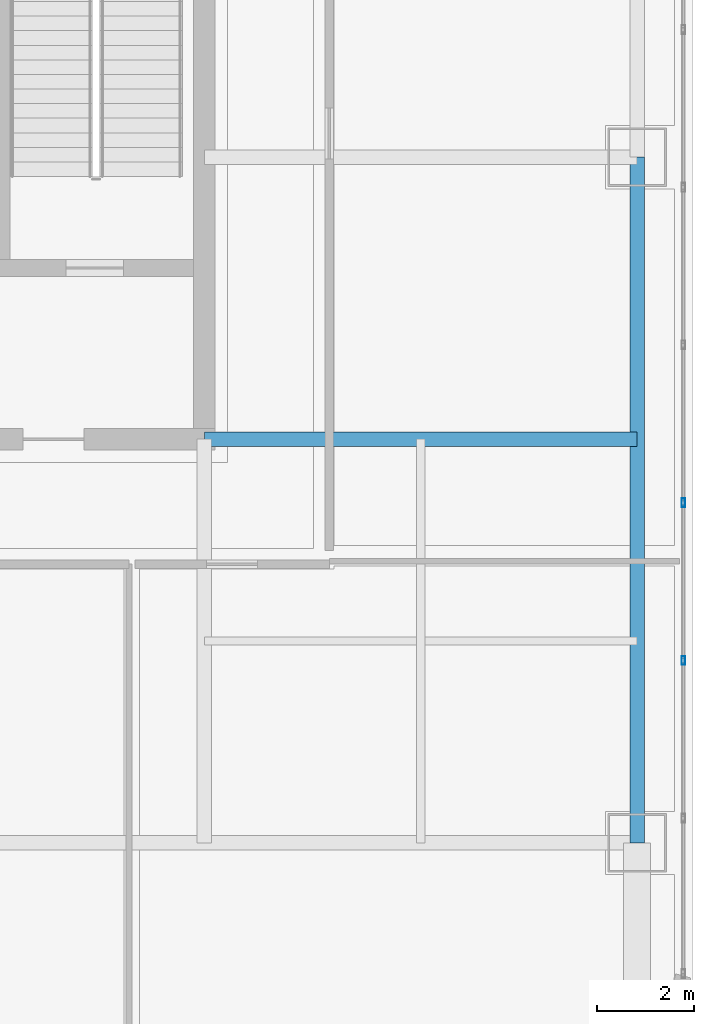
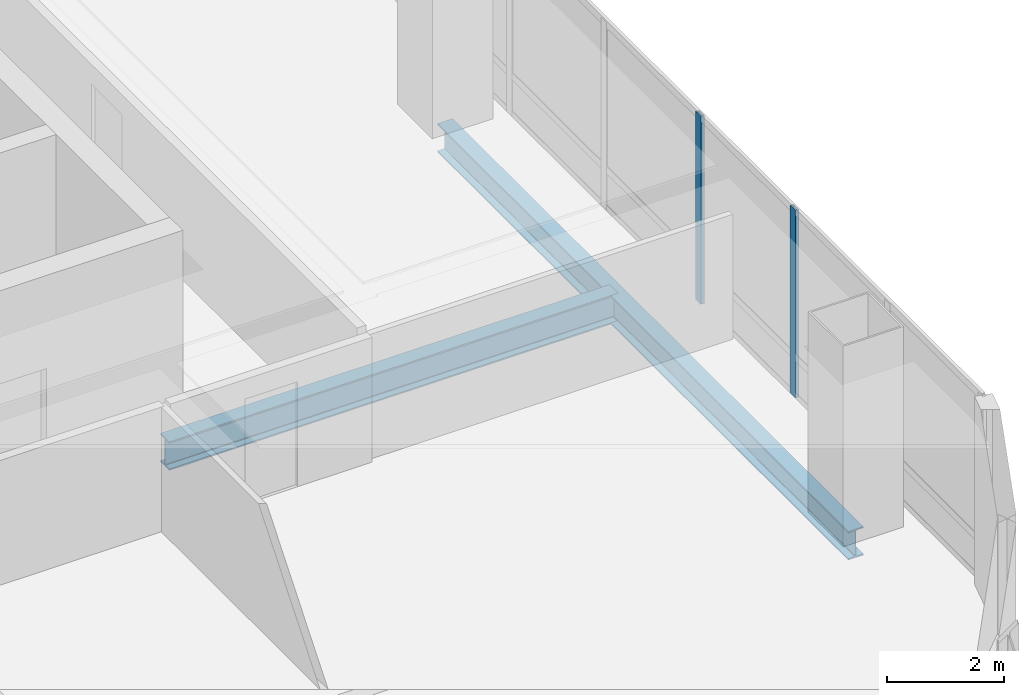
# One storey, part 19 of 46: 2 beams, 2 members, 1 element without a shape of its own.
"""IFC4 building model written with IfcOpenShell, lengths in metres."""

from ifc_helpers import new_model, si_unit, direction, frame, origin, origin_2d, place, context, subcontext, project, spatial, hollow_rectangle, i_section, extrude, material, material_profile, profile_set, type_object, element, aggregate, save


model = new_model("IFC4")

# Units and contexts
model_context = context("Model", 3, precision=1e-05, world=origin(), true_north=direction((0.0, 1.0)))
body_context = subcontext(model_context, "Body", "Model", "MODEL_VIEW")
ifc_project = project(units=[si_unit("LENGTHUNIT", "METRE"), si_unit("AREAUNIT", "SQUARE_METRE"), si_unit("VOLUMEUNIT", "CUBIC_METRE"), si_unit("PLANEANGLEUNIT", "RADIAN"), si_unit("MASSUNIT", "GRAM", prefix="KILO")], contexts=[model_context])

# Site, building, storey
site_placement = place(None, origin())
site = spatial("IfcSite", under=ifc_project, at=site_placement, CompositionType="ELEMENT")
building_placement = place(site_placement, origin())
building = spatial("IfcBuilding", under=site, at=building_placement, Name="Punatoya Terracotta Tower", CompositionType="ELEMENT")
storey_placement = place(building_placement, frame((0.0, 0.0, 330.0)))
storey = spatial("IfcBuildingStorey", under=building, at=storey_placement, Name="L78", CompositionType="ELEMENT", Elevation=330.0)

# Beams
ifc_material_1 = material(Name="Steel S355", Category="steel")
ifc_material_profile_1 = material_profile(ifc_material_1, i_section(OverallWidth=0.300048828125, OverallDepth=0.60009765625, WebThickness=0.015380859375, FlangeThickness=0.030029296875, FilletRadius=0.01806640625, at=origin_2d()))
ifc_profile_set_1 = profile_set([ifc_material_profile_1], Name="Steel S355")
beam_type = type_object("IfcBeamType", Name="BM-PRI-600", PredefinedType="BEAM", material=ifc_profile_set_1)
beam_1_placement = place(storey_placement, frame((19.10009765625, -17.5, -0.5), z_axis=(0.0, 1.0, 0.0), x_axis=(-1.0, 0.0, 0.0)))
element("IfcBeam", 1, at=beam_1_placement, inside=storey, type_object=beam_type, Name="BM-L78-RG-E1", PredefinedType="BEAM", context=body_context, shape_type="SweptSolid", body=[
    extrude(i_section(OverallWidth=0.300048828125, OverallDepth=0.60009765625, WebThickness=0.015380859375, FlangeThickness=0.030029296875, FilletRadius=0.01806640625, at=origin_2d()), origin(), (0.0, 0.0, 1.0), 14.10009765625),
])
beam_2_placement = place(storey_placement, frame((10.199951171875, -9.199951171875, -0.5), z_axis=(1.0, 0.0, 0.0), x_axis=(0.0, 1.0, 0.0)))
element("IfcBeam", 2, at=beam_2_placement, inside=storey, type_object=beam_type, Name="BM-L78-PR-ES", PredefinedType="BEAM", context=body_context, shape_type="SweptSolid", body=[
    extrude(i_section(OverallWidth=0.300048828125, OverallDepth=0.60009765625, WebThickness=0.015380859375, FlangeThickness=0.030029296875, FilletRadius=0.01806640625, at=origin_2d()), origin(), (0.0, 0.0, 1.0), 8.900146484375),
])

# Curtain wall, members
ifc_material_2 = material(Name="Aluminium 6063-T6 + Double Low-E Glass", Category="aluminium")
curtain_wall_type = type_object("IfcCurtainWallType", Name="CW-OBS", PredefinedType="NOTDEFINED", material=ifc_material_2)
curtain_wall_placement = place(storey_placement, origin())
curtain_wall = element("IfcCurtainWall", 3, at=curtain_wall_placement, inside=storey, type_object=curtain_wall_type, Name="L78 Curtain Wall CW-L78-E05-1", PredefinedType="NOTDEFINED")
ifc_material_3 = material(Name="Aluminium 6063-T6", Category="aluminium")
ifc_material_profile_2 = material_profile(ifc_material_3, hollow_rectangle(XDim=0.070068359375, YDim=0.179931640625, WallThickness=0.00390625, at=origin_2d()))
ifc_profile_set_2 = profile_set([ifc_material_profile_2], Name="Aluminium 6063-T6")
member_type = type_object("IfcMemberType", Name="CW-MUL-M3", PredefinedType="MULLION", material=ifc_profile_set_2)
member_1_placement = place(storey_placement, frame((20.050048828125, -13.750732421875, 0.0), z_axis=(0.0, 0.0, 1.0), x_axis=(1.0, 0.0, 0.0)))
member_1 = element("IfcMember", 4, at=member_1_placement, type_object=member_type, Name="CW-L78-E05-1 Mullion 02", PredefinedType="MULLION", context=body_context, shape_type="SweptSolid", body=[
    extrude(hollow_rectangle(XDim=0.070068359375, YDim=0.179931640625, WallThickness=0.00390625, at=origin_2d()), origin(), (0.0, 0.0, 1.0), 3.93994140625),
])
member_2_placement = place(storey_placement, frame((20.050048828125, -10.5078125, 0.0), z_axis=(0.0, 0.0, 1.0), x_axis=(1.0, 0.0, 0.0)))
member_2 = element("IfcMember", 5, at=member_2_placement, type_object=member_type, Name="CW-L78-E05-1 Mullion 03", PredefinedType="MULLION", context=body_context, shape_type="SweptSolid", body=[
    extrude(hollow_rectangle(XDim=0.070068359375, YDim=0.179931640625, WallThickness=0.00390625, at=origin_2d()), origin(), (0.0, 0.0, 1.0), 3.93994140625),
])
aggregate(curtain_wall, [member_1, member_2])

save(model, "model.ifc")
